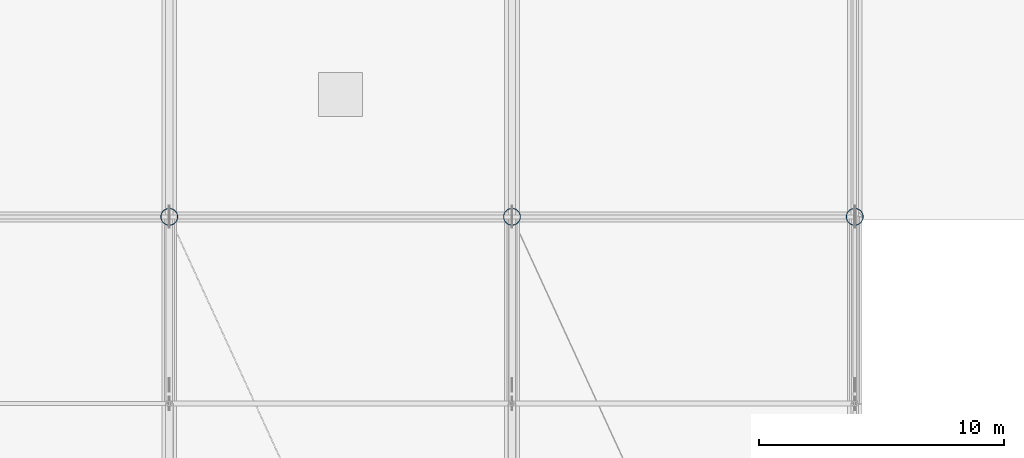
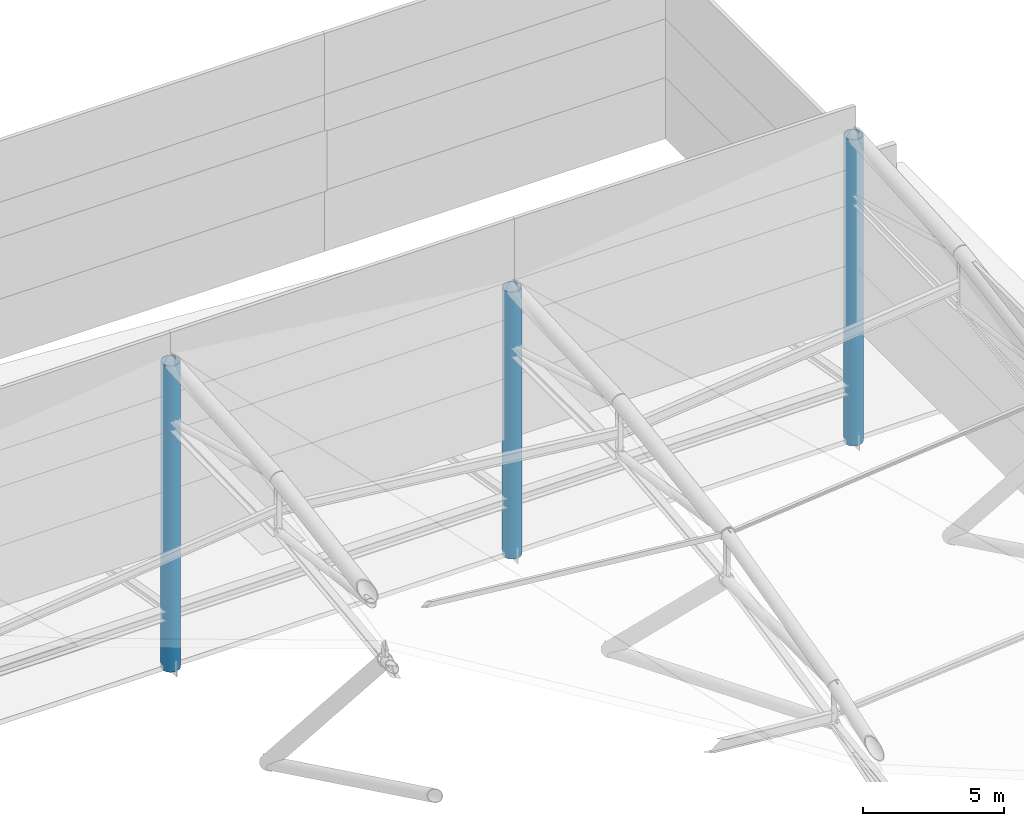
# One storey, part 11 of 113: 3 columns.
"""IFC4 building model written with IfcOpenShell, lengths in metres."""

from ifc_helpers import new_model, si_unit, direction, frame, origin, origin_2d, place, context, subcontext, project, spatial, hollow_circle, extrude, material, material_profile, profile_set, type_object, element, save


model = new_model("IFC4")

# Units and contexts
model_context = context("Model", 3, precision=1e-05, world=origin(), true_north=direction((0.0, 1.0)))
body_context = subcontext(model_context, "Body", "Model", "MODEL_VIEW")
ifc_project = project(units=[si_unit("LENGTHUNIT", "METRE"), si_unit("AREAUNIT", "SQUARE_METRE"), si_unit("VOLUMEUNIT", "CUBIC_METRE"), si_unit("PLANEANGLEUNIT", "RADIAN"), si_unit("MASSUNIT", "GRAM", prefix="KILO")], contexts=[model_context])

# Site, building, storey
site_placement = place(None, origin())
site = spatial("IfcSite", under=ifc_project, at=site_placement, CompositionType="ELEMENT")
building_placement = place(site_placement, origin())
building = spatial("IfcBuilding", under=site, at=building_placement, Name="Linyun Crest Stadium", CompositionType="ELEMENT")
storey_placement = place(building_placement, frame((0.0, 0.0, 26.39990234375)))
storey = spatial("IfcBuildingStorey", under=building, at=storey_placement, Name="L06", CompositionType="ELEMENT", Elevation=26.39990234375)

# Columns
ifc_material = material(Name="Steel Q420C", Category="steel")
ifc_material_profile = material_profile(ifc_material, hollow_circle(Radius=0.35546875, WallThickness=0.031982421875, at=origin_2d()), Name="CHS 711x32")
ifc_profile_set = profile_set([ifc_material_profile], Name="Steel Q420C")
column_type = type_object("IfcColumnType", Name="MST02", PredefinedType="USERDEFINED", material=ifc_profile_set)
column_1_placement = place(storey_placement, frame((0.0, 91.5, -0.21484375), z_axis=(0.0, 0.0, 1.0), x_axis=(1.0, 0.0, 0.0)))
element("IfcColumn", 1, at=column_1_placement, inside=storey, type_object=column_type, Name="Roof mast MST02 V3 37", ObjectType="ROOF MAST", PredefinedType="USERDEFINED", context=body_context, shape_type="SweptSolid", body=[
    extrude(hollow_circle(Radius=0.35546875, WallThickness=0.031982421875, at=origin_2d()), origin(), (0.0, 0.0, 1.0), 13.264892578125),
])
column_2_placement = place(storey_placement, frame((14.0, 91.5, -0.21484375), z_axis=(0.0, 0.0, 1.0), x_axis=(1.0, 0.0, 0.0)))
element("IfcColumn", 2, at=column_2_placement, inside=storey, type_object=column_type, Name="Roof mast MST02 V3 39", ObjectType="ROOF MAST", PredefinedType="USERDEFINED", context=body_context, shape_type="SweptSolid", body=[
    extrude(hollow_circle(Radius=0.35546875, WallThickness=0.031982421875, at=origin_2d()), origin(), (0.0, 0.0, 1.0), 11.56494140625),
])
column_3_placement = place(storey_placement, frame((28.0, 91.5, -0.21484375), z_axis=(0.0, 0.0, 1.0), x_axis=(1.0, 0.0, 0.0)))
element("IfcColumn", 3, at=column_3_placement, inside=storey, type_object=column_type, Name="Roof mast MST02 V3 41", ObjectType="ROOF MAST", PredefinedType="USERDEFINED", context=body_context, shape_type="SweptSolid", body=[
    extrude(hollow_circle(Radius=0.35546875, WallThickness=0.031982421875, at=origin_2d()), origin(), (0.0, 0.0, 1.0), 13.264892578125),
])

save(model, "model.ifc")
